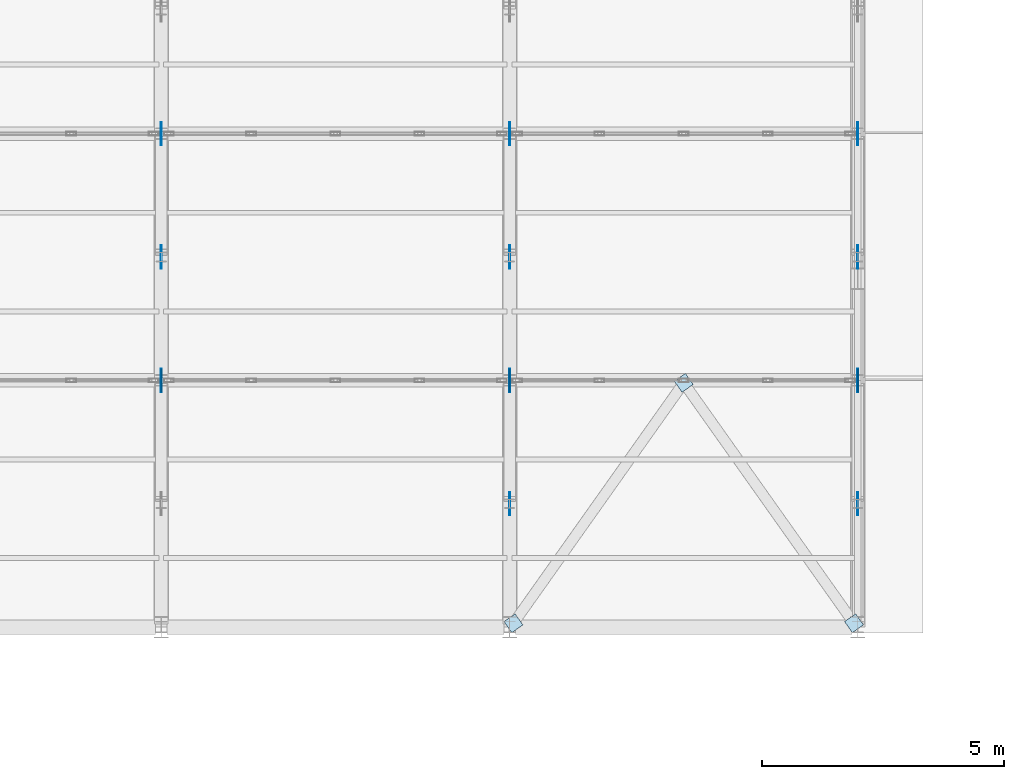
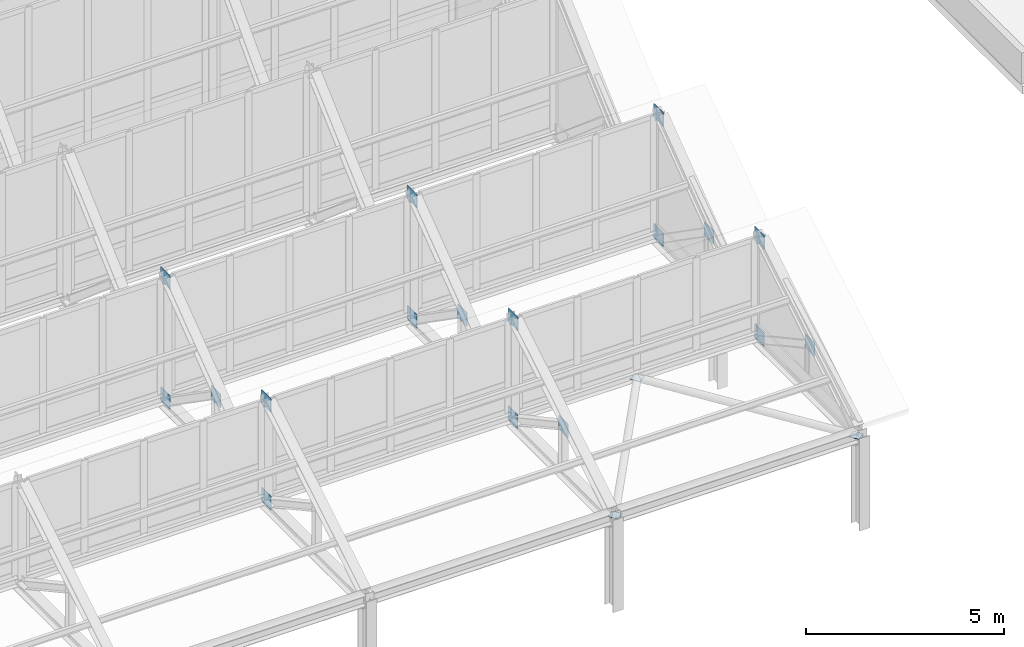
# One storey, part 108 of 157: 20 plates.
"""IFC4 building model written with IfcOpenShell, lengths in metres."""

from ifc_helpers import new_model, si_unit, direction, frame, origin, origin_2d, place, context, subcontext, project, spatial, rectangle, extrude, material, layer, layer_set, type_object, element, save


model = new_model("IFC4")

# Units and contexts
model_context = context("Model", 3, precision=1e-05, world=origin(), true_north=direction((0.0, 1.0)))
body_context = subcontext(model_context, "Body", "Model", "MODEL_VIEW")
ifc_project = project(units=[si_unit("LENGTHUNIT", "METRE"), si_unit("AREAUNIT", "SQUARE_METRE"), si_unit("VOLUMEUNIT", "CUBIC_METRE"), si_unit("PLANEANGLEUNIT", "RADIAN"), si_unit("MASSUNIT", "GRAM", prefix="KILO")], contexts=[model_context])

# Site, building, storey
site_placement = place(None, origin())
site = spatial("IfcSite", under=ifc_project, at=site_placement, CompositionType="ELEMENT")
building_placement = place(site_placement, origin())
building = spatial("IfcBuilding", under=site, at=building_placement, Name="Suanplinth Sawtooth Commons", CompositionType="ELEMENT")
storey_placement = place(building_placement, frame((0.0, 0.0, 9.0)))
storey = spatial("IfcBuildingStorey", under=building, at=storey_placement, Name="L02", CompositionType="ELEMENT", Elevation=9.0)

# Plates
ifc_material = material(Name="Steel S355JR", Category="steel")
ifc_layer_1 = layer(ifc_material, 0.02001953125, Name="Sawtooth truss chord gusset plate 20mm")
ifc_layer_set_1 = layer_set([ifc_layer_1], Name="Steel S355JR")
plate_type_1 = type_object("IfcPlateType", Name="PL-01", PredefinedType="USERDEFINED", material=ifc_layer_set_1)
for number, where, z_axis, x_axis, name in (
    (1, (100.800048828125, 55.5, 2.56005859375), (0.0, 0.0, 1.0), (1.0, 0.0, 0.0), "Truss T6 Valley Gusset 1"),
    (2, (100.800048828125, 60.60009765625, 6.27001953125), (0.0, 0.0, 1.0), (1.0, 0.0, 0.0), "Truss T6 Crest Gusset 2"),
    (3, (100.800048828125, 58.050048828125, 4.16015625), (0.0, 0.0, 1.0), (1.0, 0.0, 0.0), "Truss T6 Mid-Chord Gusset 2"),
    (4, (100.800048828125, 60.60009765625, 2.56005859375), (0.0, 0.0, 1.0), (1.0, 0.0, 0.0), "Truss T6 Valley Gusset 2"),
    (5, (108.0, 52.949951171875, 3.81005859375), (0.0, 0.0, 1.0), (1.0, 0.0, 0.0), "Truss T7 Mid-Chord Gusset 1"),
    (6, (108.0, 55.5, 2.56005859375), (0.0, 0.0, 1.0), (1.0, 0.0, 0.0), "Truss T7 Valley Gusset 1"),
    (7, (108.0, 60.60009765625, 6.27001953125), (0.0, 0.0, 1.0), (1.0, 0.0, 0.0), "Truss T7 Crest Gusset 2"),
    (8, (108.0, 58.050048828125, 4.16015625), (0.0, 0.0, 1.0), (1.0, 0.0, 0.0), "Truss T7 Mid-Chord Gusset 2"),
    (9, (108.0, 60.60009765625, 2.56005859375), (0.0, 0.0, 1.0), (1.0, 0.0, 0.0), "Truss T7 Valley Gusset 2"),
    (10, (115.199951171875, 52.949951171875, 3.81005859375), (0.0, 0.0, 1.0), (1.0, 0.0, 0.0), "Truss T8 Mid-Chord Gusset 1"),
    (11, (115.199951171875, 55.5, 2.56005859375), (0.0, 0.0, 1.0), (1.0, 0.0, 0.0), "Truss T8 Valley Gusset 1"),
    (12, (115.199951171875, 60.60009765625, 6.27001953125), (0.0, 0.0, 1.0), (1.0, 0.0, 0.0), "Truss T8 Crest Gusset 2"),
    (13, (115.199951171875, 58.050048828125, 4.16015625), (0.0, 0.0, 1.0), (1.0, 0.0, 0.0), "Truss T8 Mid-Chord Gusset 2"),
    (14, (115.199951171875, 60.60009765625, 2.56005859375), (0.0, 0.0, 1.0), (1.0, 0.0, 0.0), "Truss T8 Valley Gusset 2"),
):
    element("IfcPlate", number, at=place(storey_placement, frame(where, z_axis=z_axis, x_axis=x_axis)), inside=storey, type_object=plate_type_1, Name=name, ObjectType="GUSSET PLATE", PredefinedType="USERDEFINED", context=body_context, shape_type="SweptSolid", body=[
        extrude(rectangle(XDim=0.02001953125, YDim=0.47998046875, at=origin_2d()), origin(), (0.0, 0.0, 1.0), 0.419921875),
    ])
ifc_layer_2 = layer(ifc_material, 0.030029296875, Name="Sawtooth truss support bearing gusset plate 30mm")
ifc_layer_set_2 = layer_set([ifc_layer_2], Name="Steel S355JR")
plate_type_2 = type_object("IfcPlateType", Name="PL-02", PredefinedType="USERDEFINED", material=ifc_layer_set_2)
for number, where, z_axis, x_axis, name in (
    (15, (100.800048828125, 55.5, 5.570068359375), (0.0, 0.0, 1.0), (1.0, 0.0, 0.0), "Truss T6 Crest Gusset 1"),
    (16, (108.0, 55.5, 5.570068359375), (0.0, 0.0, 1.0), (1.0, 0.0, 0.0), "Truss T7 Crest Gusset 1"),
    (17, (115.199951171875, 55.5, 5.570068359375), (0.0, 0.0, 1.0), (1.0, 0.0, 0.0), "Truss T8 Crest Gusset 1"),
):
    element("IfcPlate", number, at=place(storey_placement, frame(where, z_axis=z_axis, x_axis=x_axis)), inside=storey, type_object=plate_type_2, Name=name, ObjectType="GUSSET PLATE", PredefinedType="USERDEFINED", context=body_context, shape_type="SweptSolid", body=[
        extrude(rectangle(XDim=0.030029296875, YDim=0.47998046875, at=origin_2d()), origin(), (0.0, 0.0, 1.0), 0.419921875),
    ])
ifc_layer_3 = layer(ifc_material, 0.011962890625, Name="Tubular steel end-cap seal plate 12mm")
ifc_layer_set_3 = layer_set([ifc_layer_3], Name="Steel S355JR")
plate_type_3 = type_object("IfcPlateType", Name="PL-03", PredefinedType="USERDEFINED", material=ifc_layer_set_3)
for number, where, z_axis, x_axis, name in (
    (18, (108.080078125, 50.47998046875, 2.744140625), (0.0, 0.0, 1.0), (0.819152044289, 0.573576436351, 0.0), "Tubular Brace End Cap Plate 7-1-1"),
    (19, (111.60009765625, 55.449951171875, 2.744140625), (0.0, 0.0, 1.0), (0.819152044289, 0.573576436351, 0.0), "Tubular Brace End Cap Plate 7-1-2"),
    (20, (115.1201171875, 50.47998046875, 2.744140625), (0.0, 0.0, 1.0), (0.819152044289, 0.573576436351, 0.0), "Tubular Brace End Cap Plate 7-2-1"),
):
    element("IfcPlate", number, at=place(storey_placement, frame(where, z_axis=z_axis, x_axis=x_axis)), inside=storey, type_object=plate_type_3, Name=name, ObjectType="GUSSET PLATE", PredefinedType="USERDEFINED", context=body_context, shape_type="SweptSolid", body=[
        extrude(rectangle(XDim=0.280029296875, YDim=0.280029296875, at=origin_2d()), origin(), (0.0, 0.0, 1.0), 0.011962890625),
    ])

save(model, "model.ifc")
